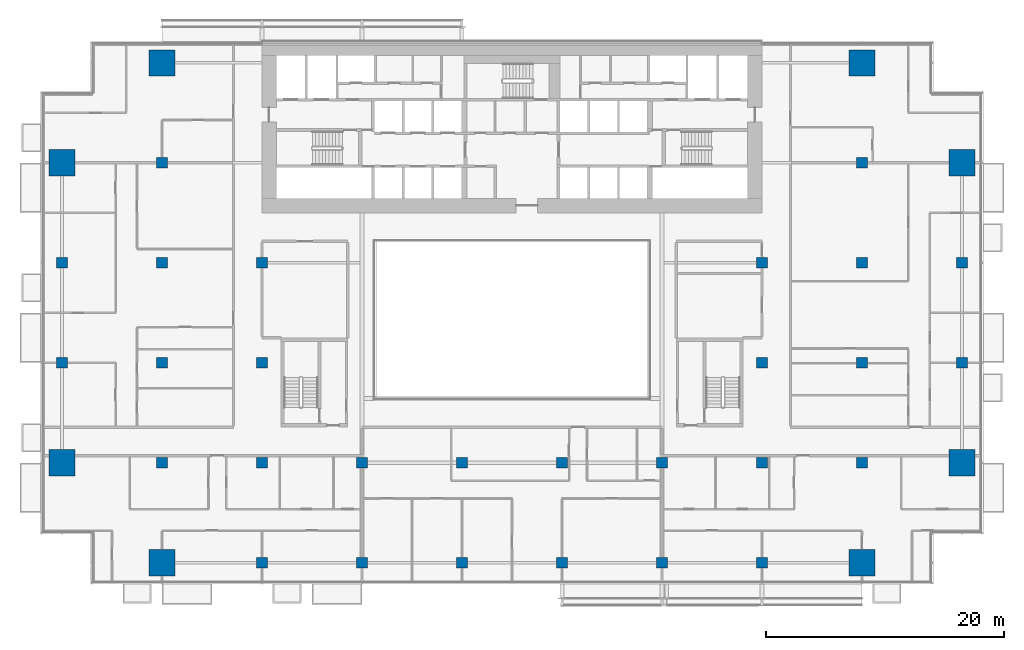
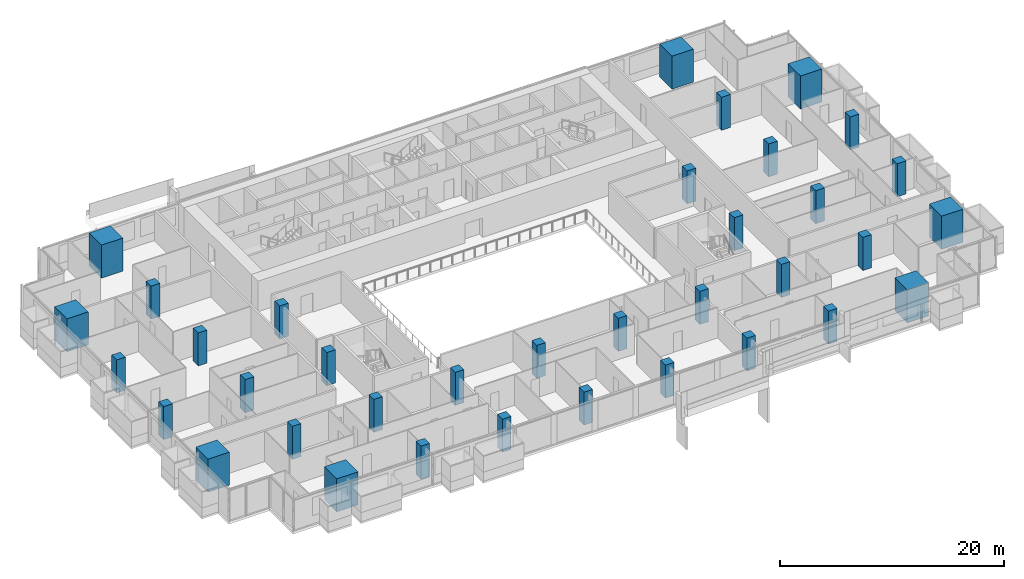
# One storey, part 1 of 27: 36 columns.
"""IFC4 building model written with IfcOpenShell, lengths in metres."""

from ifc_helpers import new_model, si_unit, direction, frame, origin, origin_2d, place, context, subcontext, project, spatial, rectangle, extrude, material, material_profile, profile_set, type_object, element, save


model = new_model("IFC4")

# Units and contexts
model_context = context("Model", 3, precision=1e-05, world=origin(), true_north=direction((0.0, 1.0)))
body_context = subcontext(model_context, "Body", "Model", "MODEL_VIEW")
ifc_project = project(units=[si_unit("LENGTHUNIT", "METRE"), si_unit("AREAUNIT", "SQUARE_METRE"), si_unit("VOLUMEUNIT", "CUBIC_METRE"), si_unit("PLANEANGLEUNIT", "RADIAN"), si_unit("MASSUNIT", "GRAM", prefix="KILO")], contexts=[model_context])

# Site, building, storey
site_placement = place(None, origin())
site = spatial("IfcSite", under=ifc_project, at=site_placement, CompositionType="ELEMENT")
building_placement = place(site_placement, origin())
building = spatial("IfcBuilding", under=site, at=building_placement, Name="Saffron Gate Tower", CompositionType="ELEMENT")
storey_placement = place(building_placement, frame((0.0, 0.0, 44.39990234375)))
storey = spatial("IfcBuildingStorey", under=building, at=storey_placement, Name="L09", CompositionType="ELEMENT", Elevation=44.39990234375)

# Columns
ifc_material_1 = material(Name="Concrete C60", Category="concrete")
ifc_material_profile_1 = material_profile(ifc_material_1, rectangle(XDim=0.89990234375, YDim=0.89990234375, at=origin_2d()))
ifc_profile_set_1 = profile_set([ifc_material_profile_1], Name="Concrete C60")
column_type_1 = type_object("IfcColumnType", Name="C6 RC 900x900 CONCRETE C60", PredefinedType="COLUMN", material=ifc_profile_set_1)
for number, where, z_axis, x_axis, name in (
    (1, (49.800048828125, 48.60009765625, 0.0), (0.0, 0.0, 1.0), (1.0, 0.0, 0.0), "C6 COLUMN X1-C"),
    (2, (49.800048828125, 57.0, 0.0), (0.0, 0.0, 1.0), (1.0, 0.0, 0.0), "C6 COLUMN X1-D"),
    (3, (58.199951171875, 40.199951171875, 0.0), (0.0, 0.0, 1.0), (1.0, 0.0, 0.0), "C6 COLUMN X2-B"),
    (4, (58.199951171875, 48.60009765625, 0.0), (0.0, 0.0, 1.0), (1.0, 0.0, 0.0), "C6 COLUMN X2-C"),
    (5, (58.199951171875, 57.0, 0.0), (0.0, 0.0, 1.0), (1.0, 0.0, 0.0), "C6 COLUMN X2-D"),
    (6, (58.199951171875, 65.39990234375, 0.0), (0.0, 0.0, 1.0), (1.0, 0.0, 0.0), "C6 COLUMN X2-E"),
    (7, (66.60009765625, 31.800048828125, 0.0), (0.0, 0.0, 1.0), (1.0, 0.0, 0.0), "C6 COLUMN X3-A"),
    (8, (66.60009765625, 40.199951171875, 0.0), (0.0, 0.0, 1.0), (1.0, 0.0, 0.0), "C6 COLUMN X3-B"),
    (9, (66.60009765625, 48.60009765625, 0.0), (0.0, 0.0, 1.0), (1.0, 0.0, 0.0), "C6 COLUMN X3-C"),
    (10, (66.60009765625, 57.0, 0.0), (0.0, 0.0, 1.0), (1.0, 0.0, 0.0), "C6 COLUMN X3-D"),
    (11, (75.0, 31.800048828125, 0.0), (0.0, 0.0, 1.0), (1.0, 0.0, 0.0), "C6 COLUMN X4-A"),
    (12, (75.0, 40.199951171875, 0.0), (0.0, 0.0, 1.0), (1.0, 0.0, 0.0), "C6 COLUMN X4-B"),
    (13, (83.39990234375, 31.800048828125, 0.0), (0.0, 0.0, 1.0), (1.0, 0.0, 0.0), "C6 COLUMN X5-A"),
    (14, (83.39990234375, 40.199951171875, 0.0), (0.0, 0.0, 1.0), (1.0, 0.0, 0.0), "C6 COLUMN X5-B"),
    (15, (91.800048828125, 31.800048828125, 0.0), (0.0, 0.0, 1.0), (1.0, 0.0, 0.0), "C6 COLUMN X6-A"),
    (16, (91.800048828125, 40.199951171875, 0.0), (0.0, 0.0, 1.0), (1.0, 0.0, 0.0), "C6 COLUMN X6-B"),
    (17, (100.199951171875, 31.800048828125, 0.0), (0.0, 0.0, 1.0), (1.0, 0.0, 0.0), "C6 COLUMN X7-A"),
    (18, (100.199951171875, 40.199951171875, 0.0), (0.0, 0.0, 1.0), (1.0, 0.0, 0.0), "C6 COLUMN X7-B"),
    (19, (108.60009765625, 31.800048828125, 0.0), (0.0, 0.0, 1.0), (1.0, 0.0, 0.0), "C6 COLUMN X8-A"),
    (20, (108.60009765625, 40.199951171875, 0.0), (0.0, 0.0, 1.0), (1.0, 0.0, 0.0), "C6 COLUMN X8-B"),
    (21, (108.60009765625, 48.60009765625, 0.0), (0.0, 0.0, 1.0), (1.0, 0.0, 0.0), "C6 COLUMN X8-C"),
    (22, (108.60009765625, 57.0, 0.0), (0.0, 0.0, 1.0), (1.0, 0.0, 0.0), "C6 COLUMN X8-D"),
    (23, (117.0, 40.199951171875, 0.0), (0.0, 0.0, 1.0), (1.0, 0.0, 0.0), "C6 COLUMN X9-B"),
    (24, (117.0, 48.60009765625, 0.0), (0.0, 0.0, 1.0), (1.0, 0.0, 0.0), "C6 COLUMN X9-C"),
    (25, (117.0, 57.0, 0.0), (0.0, 0.0, 1.0), (1.0, 0.0, 0.0), "C6 COLUMN X9-D"),
    (26, (117.0, 65.39990234375, 0.0), (0.0, 0.0, 1.0), (1.0, 0.0, 0.0), "C6 COLUMN X9-E"),
    (27, (125.39990234375, 48.60009765625, 0.0), (0.0, 0.0, 1.0), (1.0, 0.0, 0.0), "C6 COLUMN X10-C"),
    (28, (125.39990234375, 57.0, 0.0), (0.0, 0.0, 1.0), (1.0, 0.0, 0.0), "C6 COLUMN X10-D"),
):
    element("IfcColumn", number, at=place(storey_placement, frame(where, z_axis=z_axis, x_axis=x_axis)), inside=storey, type_object=column_type_1, Name=name, PredefinedType="COLUMN", context=body_context, shape_type="SweptSolid", body=[
        extrude(rectangle(XDim=0.89990234375, YDim=0.89990234375, at=origin_2d()), origin(), (0.0, 0.0, 1.0), 3.60009765625),
    ])
ifc_material_2 = material(Name="Concrete C80", Category="concrete")
ifc_material_profile_2 = material_profile(ifc_material_2, rectangle(XDim=2.199951171875, YDim=2.199951171875, at=origin_2d()))
ifc_profile_set_2 = profile_set([ifc_material_profile_2], Name="Concrete C80")
column_type_2 = type_object("IfcColumnType", Name="MC4 RC 2200x2200 CONCRETE C80", PredefinedType="COLUMN", material=ifc_profile_set_2)
for number, where, z_axis, x_axis, name in (
    (29, (49.800048828125, 40.199951171875, 0.0), (0.0, 0.0, 1.0), (1.0, 0.0, 0.0), "MC4 MEGA COLUMN X1-B"),
    (30, (49.800048828125, 65.39990234375, 0.0), (0.0, 0.0, 1.0), (1.0, 0.0, 0.0), "MC4 MEGA COLUMN X1-E"),
    (31, (58.199951171875, 31.800048828125, 0.0), (0.0, 0.0, 1.0), (1.0, 0.0, 0.0), "MC4 MEGA COLUMN X2-A"),
    (32, (58.199951171875, 73.800048828125, 0.0), (0.0, 0.0, 1.0), (1.0, 0.0, 0.0), "MC4 MEGA COLUMN X2-F"),
    (33, (117.0, 31.800048828125, 0.0), (0.0, 0.0, 1.0), (1.0, 0.0, 0.0), "MC4 MEGA COLUMN X9-A"),
    (34, (117.0, 73.800048828125, 0.0), (0.0, 0.0, 1.0), (1.0, 0.0, 0.0), "MC4 MEGA COLUMN X9-F"),
    (35, (125.39990234375, 40.199951171875, 0.0), (0.0, 0.0, 1.0), (1.0, 0.0, 0.0), "MC4 MEGA COLUMN X10-B"),
    (36, (125.39990234375, 65.39990234375, 0.0), (0.0, 0.0, 1.0), (1.0, 0.0, 0.0), "MC4 MEGA COLUMN X10-E"),
):
    element("IfcColumn", number, at=place(storey_placement, frame(where, z_axis=z_axis, x_axis=x_axis)), inside=storey, type_object=column_type_2, Name=name, PredefinedType="COLUMN", context=body_context, shape_type="SweptSolid", body=[
        extrude(rectangle(XDim=2.199951171875, YDim=2.199951171875, at=origin_2d()), origin(), (0.0, 0.0, 1.0), 3.60009765625),
    ])

save(model, "model.ifc")
